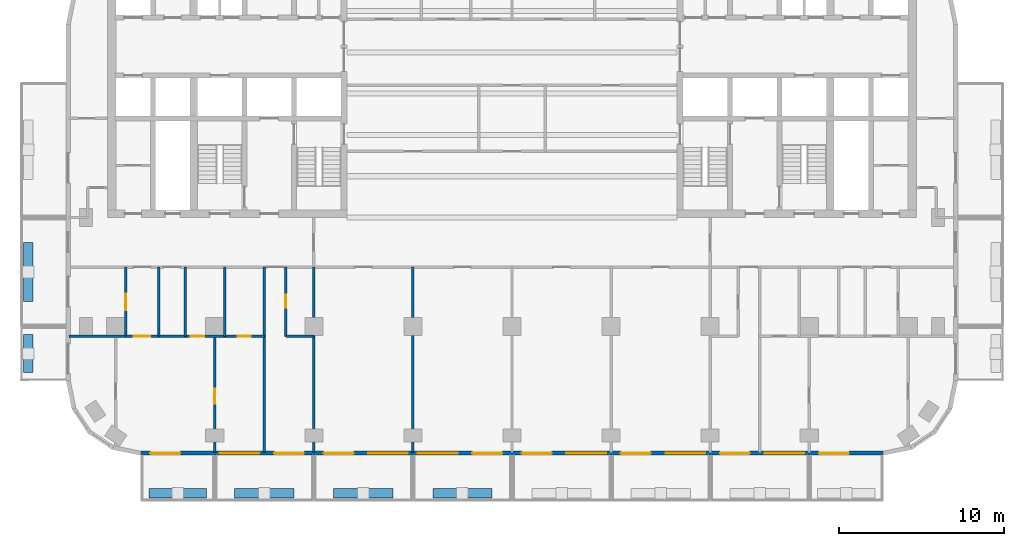
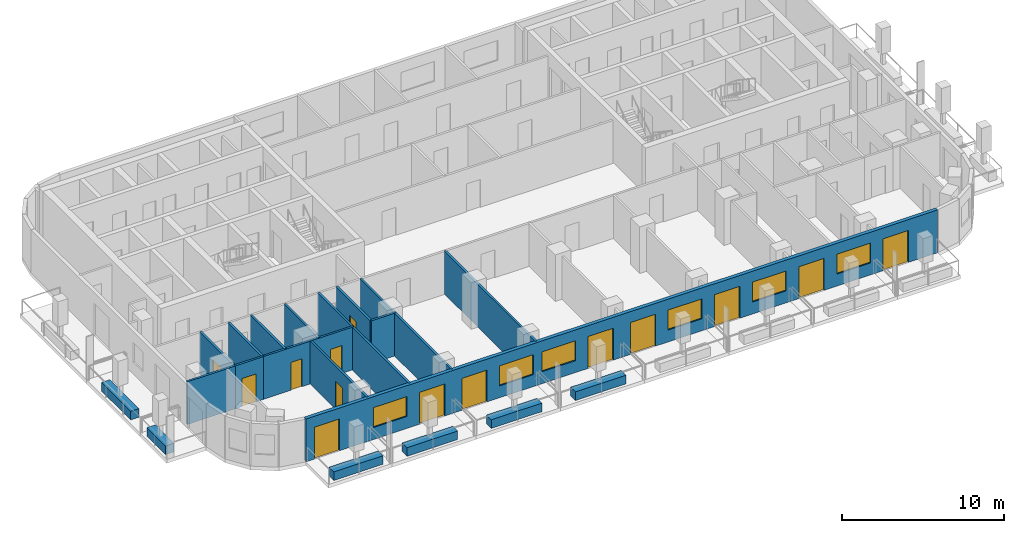
# One storey, part 2 of 12: 20 walls, 14 doors, 6 windows, 20 openings.
"""IFC4 building model written with IfcOpenShell, lengths in metres."""

from ifc_helpers import new_model, si_unit, direction, frame, frame_2d, origin, place, context, subcontext, project, spatial, rectangle, extrude, material, layer, layer_set, type_object, element, fill, save


model = new_model("IFC4")

# Units and contexts
model_context = context("Model", 3, precision=1e-05, world=origin(), true_north=direction((0.0, 1.0)))
body_context = subcontext(model_context, "Body", "Model", "MODEL_VIEW")
ifc_project = project(units=[si_unit("LENGTHUNIT", "METRE"), si_unit("AREAUNIT", "SQUARE_METRE"), si_unit("VOLUMEUNIT", "CUBIC_METRE"), si_unit("PLANEANGLEUNIT", "RADIAN"), si_unit("MASSUNIT", "GRAM", prefix="KILO")], contexts=[model_context])

# Site, building, storey
site_placement = place(None, origin())
site = spatial("IfcSite", under=ifc_project, at=site_placement, CompositionType="ELEMENT")
building_placement = place(site_placement, origin())
building = spatial("IfcBuilding", under=site, at=building_placement, Name="Torana Hotel and Residences", CompositionType="ELEMENT")
storey_placement = place(building_placement, frame((0.0, 0.0, 197.60009765625)))
storey = spatial("IfcBuildingStorey", under=building, at=storey_placement, Name="L51", CompositionType="ELEMENT", Elevation=197.60009765625)

# Wall, openings, doors, windows
ifc_material_1 = material(Name="Black aluminium composite panel", Category="aluminium")
ifc_layer_1 = layer(ifc_material_1, 0.00390625, Name="Cladding", Category="cladding")
ifc_material_2 = material(Name="Ventilated air cavity")
ifc_layer_2 = layer(ifc_material_2, 0.0400390625, Name="Ventilated cavity", Category="cavity")
ifc_material_3 = material(Name="Mineral wool insulation")
ifc_layer_3 = layer(ifc_material_3, 0.090087890625, Name="Insulation", Category="insulation")
ifc_material_4 = material(Name="Steel S280GD", Category="steel")
ifc_layer_4 = layer(ifc_material_4, 0.092041015625, Name="Steel stud frame", Category="structure")
ifc_material_5 = material(Name="Fire rated plasterboard")
ifc_layer_5 = layer(ifc_material_5, 0.011962890625, Name="Inner board", Category="finish")
ifc_layer_6 = layer(ifc_material_5, 0.011962890625, Name="Second board", Category="finish")
ifc_layer_set_1 = layer_set([ifc_layer_1, ifc_layer_2, ifc_layer_3, ifc_layer_4, ifc_layer_5, ifc_layer_6], Name="EW1 EXTERNAL WALL BLACK METAL CLAD 250")
wall_type_1 = type_object("IfcWallType", Name="EW1 EXTERNAL WALL BLACK METAL CLAD 250", PredefinedType="SOLIDWALL", material=ifc_layer_set_1)
wall_1_placement = place(storey_placement, frame((-22.475341796875, -29.27490234375, 0.0), z_axis=(0.0, 0.0, 1.0), x_axis=(1.0, 0.0, 0.0)))
wall_1 = element("IfcWall", 1, at=wall_1_placement, inside=storey, type_object=wall_type_1, Name="External wall L51 e0.14", PredefinedType="SOLIDWALL", context=body_context, shape_type="SweptSolid", body=[
    extrude(rectangle(XDim=44.95068359375, YDim=0.25, at=frame_2d((22.475341796875, 0.0))), origin(), (0.0, 0.0, 1.0), 3.219970703125),
])
opening_1_placement = place(wall_1_placement, frame((0.575439453125, 0.0, 0.0)))
opening_1 = element("IfcOpeningElement", 2, at=opening_1_placement, cuts=wall_1, Name="Opening L51-E01", PredefinedType="OPENING", context=body_context, shape_type="SweptSolid", body=[
    extrude(rectangle(XDim=1.800048828125, YDim=2.39990234375, at=frame_2d((0.89990234375, 1.199951171875))), frame((0.0, 0.135009765625, 0.0), z_axis=(0.0, -1.0, 0.0), x_axis=(1.0, 0.0, 0.0)), (0.0, 0.0, 1.0), 0.27001953125),
])
opening_2_placement = place(wall_1_placement, frame((4.775390625, 0.0, 0.89990234375)))
opening_2 = element("IfcOpeningElement", 3, at=opening_2_placement, cuts=wall_1, Name="Opening W3", PredefinedType="OPENING", context=body_context, shape_type="SweptSolid", body=[
    extrude(rectangle(XDim=2.39990234375, YDim=1.5, at=frame_2d((1.199951171875, 0.75))), frame((0.0, 0.135009765625, 0.0), z_axis=(0.0, -1.0, 0.0), x_axis=(1.0, 0.0, 0.0)), (0.0, 0.0, 1.0), 0.27001953125),
])
opening_3_placement = place(wall_1_placement, frame((8.075439453125, 0.0, 0.0)))
opening_3 = element("IfcOpeningElement", 4, at=opening_3_placement, cuts=wall_1, Name="Opening L51-E02", PredefinedType="OPENING", context=body_context, shape_type="SweptSolid", body=[
    extrude(rectangle(XDim=1.800048828125, YDim=2.39990234375, at=frame_2d((0.89990234375, 1.199951171875))), frame((0.0, 0.135009765625, 0.0), z_axis=(0.0, -1.0, 0.0), x_axis=(1.0, 0.0, 0.0)), (0.0, 0.0, 1.0), 0.27001953125),
])
opening_4_placement = place(wall_1_placement, frame((11.075439453125, 0.0, 0.0)))
opening_4 = element("IfcOpeningElement", 5, at=opening_4_placement, cuts=wall_1, Name="Opening L51-E03", PredefinedType="OPENING", context=body_context, shape_type="SweptSolid", body=[
    extrude(rectangle(XDim=1.800048828125, YDim=2.39990234375, at=frame_2d((0.89990234375, 1.199951171875))), frame((0.0, 0.135009765625, 0.0), z_axis=(0.0, -1.0, 0.0), x_axis=(1.0, 0.0, 0.0)), (0.0, 0.0, 1.0), 0.27001953125),
])
opening_5_placement = place(wall_1_placement, frame((13.775390625, 0.0, 0.89990234375)))
opening_5 = element("IfcOpeningElement", 6, at=opening_5_placement, cuts=wall_1, Name="Opening W3", PredefinedType="OPENING", context=body_context, shape_type="SweptSolid", body=[
    extrude(rectangle(XDim=2.39990234375, YDim=1.5, at=frame_2d((1.199951171875, 0.75))), frame((0.0, 0.135009765625, 0.0), z_axis=(0.0, -1.0, 0.0), x_axis=(1.0, 0.0, 0.0)), (0.0, 0.0, 1.0), 0.27001953125),
])
opening_6_placement = place(wall_1_placement, frame((16.775390625, 0.0, 0.89990234375)))
opening_6 = element("IfcOpeningElement", 7, at=opening_6_placement, cuts=wall_1, Name="Opening W3", PredefinedType="OPENING", context=body_context, shape_type="SweptSolid", body=[
    extrude(rectangle(XDim=2.39990234375, YDim=1.5, at=frame_2d((1.199951171875, 0.75))), frame((0.0, 0.135009765625, 0.0), z_axis=(0.0, -1.0, 0.0), x_axis=(1.0, 0.0, 0.0)), (0.0, 0.0, 1.0), 0.27001953125),
])
opening_7_placement = place(wall_1_placement, frame((20.075439453125, 0.0, 0.0)))
opening_7 = element("IfcOpeningElement", 8, at=opening_7_placement, cuts=wall_1, Name="Opening L51-E04", PredefinedType="OPENING", context=body_context, shape_type="SweptSolid", body=[
    extrude(rectangle(XDim=1.800048828125, YDim=2.39990234375, at=frame_2d((0.89990234375, 1.199951171875))), frame((0.0, 0.135009765625, 0.0), z_axis=(0.0, -1.0, 0.0), x_axis=(1.0, 0.0, 0.0)), (0.0, 0.0, 1.0), 0.27001953125),
])
opening_8_placement = place(wall_1_placement, frame((23.075439453125, 0.0, 0.0)))
opening_8 = element("IfcOpeningElement", 9, at=opening_8_placement, cuts=wall_1, Name="Opening L51-E05", PredefinedType="OPENING", context=body_context, shape_type="SweptSolid", body=[
    extrude(rectangle(XDim=1.800048828125, YDim=2.39990234375, at=frame_2d((0.89990234375, 1.199951171875))), frame((0.0, 0.135009765625, 0.0), z_axis=(0.0, -1.0, 0.0), x_axis=(1.0, 0.0, 0.0)), (0.0, 0.0, 1.0), 0.27001953125),
])
opening_9_placement = place(wall_1_placement, frame((25.775390625, 0.0, 0.89990234375)))
opening_9 = element("IfcOpeningElement", 10, at=opening_9_placement, cuts=wall_1, Name="Opening W3", PredefinedType="OPENING", context=body_context, shape_type="SweptSolid", body=[
    extrude(rectangle(XDim=2.39990234375, YDim=1.5, at=frame_2d((1.199951171875, 0.75))), frame((0.0, 0.135009765625, 0.0), z_axis=(0.0, -1.0, 0.0), x_axis=(1.0, 0.0, 0.0)), (0.0, 0.0, 1.0), 0.27001953125),
])
opening_10_placement = place(wall_1_placement, frame((29.075439453125, 0.0, 0.0)))
opening_10 = element("IfcOpeningElement", 11, at=opening_10_placement, cuts=wall_1, Name="Opening L51-E06", PredefinedType="OPENING", context=body_context, shape_type="SweptSolid", body=[
    extrude(rectangle(XDim=1.800048828125, YDim=2.39990234375, at=frame_2d((0.89990234375, 1.199951171875))), frame((0.0, 0.135009765625, 0.0), z_axis=(0.0, -1.0, 0.0), x_axis=(1.0, 0.0, 0.0)), (0.0, 0.0, 1.0), 0.27001953125),
])
opening_11_placement = place(wall_1_placement, frame((31.775390625, 0.0, 0.89990234375)))
opening_11 = element("IfcOpeningElement", 12, at=opening_11_placement, cuts=wall_1, Name="Opening W3", PredefinedType="OPENING", context=body_context, shape_type="SweptSolid", body=[
    extrude(rectangle(XDim=2.39990234375, YDim=1.5, at=frame_2d((1.199951171875, 0.75))), frame((0.0, 0.135009765625, 0.0), z_axis=(0.0, -1.0, 0.0), x_axis=(1.0, 0.0, 0.0)), (0.0, 0.0, 1.0), 0.27001953125),
])
opening_12_placement = place(wall_1_placement, frame((35.075439453125, 0.0, 0.0)))
opening_12 = element("IfcOpeningElement", 13, at=opening_12_placement, cuts=wall_1, Name="Opening L51-E07", PredefinedType="OPENING", context=body_context, shape_type="SweptSolid", body=[
    extrude(rectangle(XDim=1.800048828125, YDim=2.39990234375, at=frame_2d((0.89990234375, 1.199951171875))), frame((0.0, 0.135009765625, 0.0), z_axis=(0.0, -1.0, 0.0), x_axis=(1.0, 0.0, 0.0)), (0.0, 0.0, 1.0), 0.27001953125),
])
opening_13_placement = place(wall_1_placement, frame((37.775390625, 0.0, 0.89990234375)))
opening_13 = element("IfcOpeningElement", 14, at=opening_13_placement, cuts=wall_1, Name="Opening W3", PredefinedType="OPENING", context=body_context, shape_type="SweptSolid", body=[
    extrude(rectangle(XDim=2.39990234375, YDim=1.5, at=frame_2d((1.199951171875, 0.75))), frame((0.0, 0.135009765625, 0.0), z_axis=(0.0, -1.0, 0.0), x_axis=(1.0, 0.0, 0.0)), (0.0, 0.0, 1.0), 0.27001953125),
])
opening_14_placement = place(wall_1_placement, frame((41.075439453125, 0.0, 0.0)))
opening_14 = element("IfcOpeningElement", 15, at=opening_14_placement, cuts=wall_1, Name="Opening L51-E08", PredefinedType="OPENING", context=body_context, shape_type="SweptSolid", body=[
    extrude(rectangle(XDim=1.800048828125, YDim=2.39990234375, at=frame_2d((0.89990234375, 1.199951171875))), frame((0.0, 0.135009765625, 0.0), z_axis=(0.0, -1.0, 0.0), x_axis=(1.0, 0.0, 0.0)), (0.0, 0.0, 1.0), 0.27001953125),
])
ifc_material_6 = material(Name="Dark glass in black aluminium frame", Category="aluminium")
door_type_1 = type_object("IfcDoorType", Name="DB1 BALCONY DOOR 1800x2400", OperationType="DOUBLE_DOOR_SINGLE_SWING", PredefinedType="DOOR", material=ifc_material_6)
door_1_placement = place(opening_1_placement, origin())
door_1 = element("IfcDoor", 16, at=door_1_placement, inside=storey, type_object=door_type_1, Name="Balcony door L51", OperationType="DOUBLE_DOOR_SINGLE_SWING", OverallHeight=2.39990234375, OverallWidth=1.800048828125, PredefinedType="DOOR", context=body_context, shape_type="SweptSolid", body=[
    extrude(rectangle(XDim=1.800048828125, YDim=2.39990234375, at=frame_2d((0.89990234375, 1.199951171875))), frame((0.0, 0.02490234375, 0.0), z_axis=(0.0, -1.0, 0.0), x_axis=(1.0, 0.0, 0.0)), (0.0, 0.0, 1.0), 0.050048828125),
])
fill(opening_1, door_1)
door_2_placement = place(opening_3_placement, origin())
door_2 = element("IfcDoor", 17, at=door_2_placement, inside=storey, type_object=door_type_1, Name="Balcony door L51", OperationType="DOUBLE_DOOR_SINGLE_SWING", OverallHeight=2.39990234375, OverallWidth=1.800048828125, PredefinedType="DOOR", context=body_context, shape_type="SweptSolid", body=[
    extrude(rectangle(XDim=1.800048828125, YDim=2.39990234375, at=frame_2d((0.89990234375, 1.199951171875))), frame((0.0, 0.02490234375, 0.0), z_axis=(0.0, -1.0, 0.0), x_axis=(1.0, 0.0, 0.0)), (0.0, 0.0, 1.0), 0.050048828125),
])
fill(opening_3, door_2)
door_3_placement = place(opening_4_placement, origin())
door_3 = element("IfcDoor", 18, at=door_3_placement, inside=storey, type_object=door_type_1, Name="Balcony door L51", OperationType="DOUBLE_DOOR_SINGLE_SWING", OverallHeight=2.39990234375, OverallWidth=1.800048828125, PredefinedType="DOOR", context=body_context, shape_type="SweptSolid", body=[
    extrude(rectangle(XDim=1.800048828125, YDim=2.39990234375, at=frame_2d((0.89990234375, 1.199951171875))), frame((0.0, 0.02490234375, 0.0), z_axis=(0.0, -1.0, 0.0), x_axis=(1.0, 0.0, 0.0)), (0.0, 0.0, 1.0), 0.050048828125),
])
fill(opening_4, door_3)
door_4_placement = place(opening_7_placement, origin())
door_4 = element("IfcDoor", 19, at=door_4_placement, inside=storey, type_object=door_type_1, Name="Balcony door L51", OperationType="DOUBLE_DOOR_SINGLE_SWING", OverallHeight=2.39990234375, OverallWidth=1.800048828125, PredefinedType="DOOR", context=body_context, shape_type="SweptSolid", body=[
    extrude(rectangle(XDim=1.800048828125, YDim=2.39990234375, at=frame_2d((0.89990234375, 1.199951171875))), frame((0.0, 0.02490234375, 0.0), z_axis=(0.0, -1.0, 0.0), x_axis=(1.0, 0.0, 0.0)), (0.0, 0.0, 1.0), 0.050048828125),
])
fill(opening_7, door_4)
door_5_placement = place(opening_8_placement, origin())
door_5 = element("IfcDoor", 20, at=door_5_placement, inside=storey, type_object=door_type_1, Name="Balcony door L51", OperationType="DOUBLE_DOOR_SINGLE_SWING", OverallHeight=2.39990234375, OverallWidth=1.800048828125, PredefinedType="DOOR", context=body_context, shape_type="SweptSolid", body=[
    extrude(rectangle(XDim=1.800048828125, YDim=2.39990234375, at=frame_2d((0.89990234375, 1.199951171875))), frame((0.0, 0.02490234375, 0.0), z_axis=(0.0, -1.0, 0.0), x_axis=(1.0, 0.0, 0.0)), (0.0, 0.0, 1.0), 0.050048828125),
])
fill(opening_8, door_5)
door_6_placement = place(opening_10_placement, origin())
door_6 = element("IfcDoor", 21, at=door_6_placement, inside=storey, type_object=door_type_1, Name="Balcony door L51", OperationType="DOUBLE_DOOR_SINGLE_SWING", OverallHeight=2.39990234375, OverallWidth=1.800048828125, PredefinedType="DOOR", context=body_context, shape_type="SweptSolid", body=[
    extrude(rectangle(XDim=1.800048828125, YDim=2.39990234375, at=frame_2d((0.89990234375, 1.199951171875))), frame((0.0, 0.02490234375, 0.0), z_axis=(0.0, -1.0, 0.0), x_axis=(1.0, 0.0, 0.0)), (0.0, 0.0, 1.0), 0.050048828125),
])
fill(opening_10, door_6)
door_7_placement = place(opening_12_placement, origin())
door_7 = element("IfcDoor", 22, at=door_7_placement, inside=storey, type_object=door_type_1, Name="Balcony door L51", OperationType="DOUBLE_DOOR_SINGLE_SWING", OverallHeight=2.39990234375, OverallWidth=1.800048828125, PredefinedType="DOOR", context=body_context, shape_type="SweptSolid", body=[
    extrude(rectangle(XDim=1.800048828125, YDim=2.39990234375, at=frame_2d((0.89990234375, 1.199951171875))), frame((0.0, 0.02490234375, 0.0), z_axis=(0.0, -1.0, 0.0), x_axis=(1.0, 0.0, 0.0)), (0.0, 0.0, 1.0), 0.050048828125),
])
fill(opening_12, door_7)
door_8_placement = place(opening_14_placement, origin())
door_8 = element("IfcDoor", 23, at=door_8_placement, inside=storey, type_object=door_type_1, Name="Balcony door L51", OperationType="DOUBLE_DOOR_SINGLE_SWING", OverallHeight=2.39990234375, OverallWidth=1.800048828125, PredefinedType="DOOR", context=body_context, shape_type="SweptSolid", body=[
    extrude(rectangle(XDim=1.800048828125, YDim=2.39990234375, at=frame_2d((0.89990234375, 1.199951171875))), frame((0.0, 0.02490234375, 0.0), z_axis=(0.0, -1.0, 0.0), x_axis=(1.0, 0.0, 0.0)), (0.0, 0.0, 1.0), 0.050048828125),
])
fill(opening_14, door_8)
ifc_material_7 = material(Name="Dark glass in black aluminium frame", Category="aluminium")
window_type = type_object("IfcWindowType", Name="W3 RESIDENCE WINDOW 2400x1500", PartitioningType="SINGLE_PANEL", PredefinedType="WINDOW", material=ifc_material_7)
window_1_placement = place(opening_2_placement, origin())
window_1 = element("IfcWindow", 24, at=window_1_placement, inside=storey, type_object=window_type, Name="Window L51", OverallHeight=1.5, OverallWidth=2.39990234375, PartitioningType="SINGLE_PANEL", PredefinedType="WINDOW", context=body_context, shape_type="SweptSolid", body=[
    extrude(rectangle(XDim=2.39990234375, YDim=1.5, at=frame_2d((1.199951171875, 0.75))), frame((0.0, 0.030029296875, 0.0), z_axis=(0.0, -1.0, 0.0), x_axis=(1.0, 0.0, 0.0)), (0.0, 0.0, 1.0), 0.06005859375),
])
fill(opening_2, window_1)
window_2_placement = place(opening_5_placement, origin())
window_2 = element("IfcWindow", 25, at=window_2_placement, inside=storey, type_object=window_type, Name="Window L51", OverallHeight=1.5, OverallWidth=2.39990234375, PartitioningType="SINGLE_PANEL", PredefinedType="WINDOW", context=body_context, shape_type="SweptSolid", body=[
    extrude(rectangle(XDim=2.39990234375, YDim=1.5, at=frame_2d((1.199951171875, 0.75))), frame((0.0, 0.030029296875, 0.0), z_axis=(0.0, -1.0, 0.0), x_axis=(1.0, 0.0, 0.0)), (0.0, 0.0, 1.0), 0.06005859375),
])
fill(opening_5, window_2)
window_3_placement = place(opening_6_placement, origin())
window_3 = element("IfcWindow", 26, at=window_3_placement, inside=storey, type_object=window_type, Name="Window L51", OverallHeight=1.5, OverallWidth=2.39990234375, PartitioningType="SINGLE_PANEL", PredefinedType="WINDOW", context=body_context, shape_type="SweptSolid", body=[
    extrude(rectangle(XDim=2.39990234375, YDim=1.5, at=frame_2d((1.199951171875, 0.75))), frame((0.0, 0.030029296875, 0.0), z_axis=(0.0, -1.0, 0.0), x_axis=(1.0, 0.0, 0.0)), (0.0, 0.0, 1.0), 0.06005859375),
])
fill(opening_6, window_3)
window_4_placement = place(opening_9_placement, origin())
window_4 = element("IfcWindow", 27, at=window_4_placement, inside=storey, type_object=window_type, Name="Window L51", OverallHeight=1.5, OverallWidth=2.39990234375, PartitioningType="SINGLE_PANEL", PredefinedType="WINDOW", context=body_context, shape_type="SweptSolid", body=[
    extrude(rectangle(XDim=2.39990234375, YDim=1.5, at=frame_2d((1.199951171875, 0.75))), frame((0.0, 0.030029296875, 0.0), z_axis=(0.0, -1.0, 0.0), x_axis=(1.0, 0.0, 0.0)), (0.0, 0.0, 1.0), 0.06005859375),
])
fill(opening_9, window_4)
window_5_placement = place(opening_11_placement, origin())
window_5 = element("IfcWindow", 28, at=window_5_placement, inside=storey, type_object=window_type, Name="Window L51", OverallHeight=1.5, OverallWidth=2.39990234375, PartitioningType="SINGLE_PANEL", PredefinedType="WINDOW", context=body_context, shape_type="SweptSolid", body=[
    extrude(rectangle(XDim=2.39990234375, YDim=1.5, at=frame_2d((1.199951171875, 0.75))), frame((0.0, 0.030029296875, 0.0), z_axis=(0.0, -1.0, 0.0), x_axis=(1.0, 0.0, 0.0)), (0.0, 0.0, 1.0), 0.06005859375),
])
fill(opening_11, window_5)
window_6_placement = place(opening_13_placement, origin())
window_6 = element("IfcWindow", 29, at=window_6_placement, inside=storey, type_object=window_type, Name="Window L51", OverallHeight=1.5, OverallWidth=2.39990234375, PartitioningType="SINGLE_PANEL", PredefinedType="WINDOW", context=body_context, shape_type="SweptSolid", body=[
    extrude(rectangle(XDim=2.39990234375, YDim=1.5, at=frame_2d((1.199951171875, 0.75))), frame((0.0, 0.030029296875, 0.0), z_axis=(0.0, -1.0, 0.0), x_axis=(1.0, 0.0, 0.0)), (0.0, 0.0, 1.0), 0.06005859375),
])
fill(opening_13, window_6)

# Wall
ifc_material_8 = material(Name="Gypsum plaster")
ifc_layer_7 = layer(ifc_material_8, 0.014892578125, Name="Plaster", Category="finish")
ifc_material_9 = material(Name="Concrete blockwork", Category="masonry")
ifc_layer_8 = layer(ifc_material_9, 0.1201171875, Name="Blockwork", Category="structure")
ifc_layer_9 = layer(ifc_material_8, 0.014892578125, Name="Plaster", Category="finish")
ifc_layer_set_2 = layer_set([ifc_layer_7, ifc_layer_8, ifc_layer_9], Name="FIRE PARTITION 150 BLOCKWORK")
wall_type_2 = type_object("IfcWallType", Name="FIRE PARTITION 150 BLOCKWORK", PredefinedType="PARTITIONING", material=ifc_layer_set_2)
wall_2_placement = place(storey_placement, frame((-21.39990234375, -22.199951171875, 0.0), z_axis=(0.0, 0.0, 1.0), x_axis=(0.0, 1.0, 0.0)))
element("IfcWall", 30, at=wall_2_placement, inside=storey, type_object=wall_type_2, Name="Partition L51", PredefinedType="PARTITIONING", context=body_context, shape_type="SweptSolid", body=[
    extrude(rectangle(XDim=4.199951171875, YDim=0.14990234375, at=frame_2d((2.10009765625, 0.0))), origin(), (0.0, 0.0, 1.0), 3.219970703125),
])

# Wall, opening, door
wall_3_placement = place(storey_placement, frame((-23.39990234375, -22.199951171875, 0.0), z_axis=(0.0, 0.0, 1.0), x_axis=(0.0, 1.0, 0.0)))
wall_3 = element("IfcWall", 31, at=wall_3_placement, inside=storey, type_object=wall_type_2, Name="Partition L51", PredefinedType="PARTITIONING", context=body_context, shape_type="SweptSolid", body=[
    extrude(rectangle(XDim=4.199951171875, YDim=0.14990234375, at=frame_2d((2.10009765625, 0.0))), origin(), (0.0, 0.0, 1.0), 3.219970703125),
])
opening_15_placement = place(wall_3_placement, frame((1.580078125, 0.0, 0.0)))
opening_15 = element("IfcOpeningElement", 32, at=opening_15_placement, cuts=wall_3, Name="Opening L51-60", PredefinedType="OPENING", context=body_context, shape_type="SweptSolid", body=[
    extrude(rectangle(XDim=1.0, YDim=2.10009765625, at=frame_2d((0.5, 1.050048828125))), frame((0.0, 0.0849609375, 0.0), z_axis=(0.0, -1.0, 0.0), x_axis=(1.0, 0.0, 0.0)), (0.0, 0.0, 1.0), 0.169921875),
])
ifc_material_10 = material(Name="Steel S235", Category="steel")
door_type_2 = type_object("IfcDoorType", Name="ENTRY FIRE DOOR D6 1000x2100", OperationType="SINGLE_SWING_LEFT", PredefinedType="DOOR", material=ifc_material_10)
door_9_placement = place(opening_15_placement, origin())
door_9 = element("IfcDoor", 33, at=door_9_placement, inside=storey, type_object=door_type_2, Name="Door L51", OperationType="SINGLE_SWING_RIGHT", OverallHeight=2.10009765625, OverallWidth=1.0, PredefinedType="DOOR", context=body_context, shape_type="SweptSolid", body=[
    extrude(rectangle(XDim=1.0, YDim=2.10009765625, at=frame_2d((0.5, 1.050048828125))), frame((0.0, 0.02490234375, 0.0), z_axis=(0.0, -1.0, 0.0), x_axis=(1.0, 0.0, 0.0)), (0.0, 0.0, 1.0), 0.050048828125),
])
fill(opening_15, door_9)

wall_4_placement = place(storey_placement, frame((-23.39990234375, -22.199951171875, 0.0), z_axis=(0.0, 0.0, 1.0), x_axis=(1.0, 0.0, 0.0)))
wall_4 = element("IfcWall", 34, at=wall_4_placement, inside=storey, type_object=wall_type_2, Name="Partition L51", PredefinedType="PARTITIONING", context=body_context, shape_type="SweptSolid", body=[
    extrude(rectangle(XDim=2.0, YDim=0.14990234375, at=frame_2d((1.0, 0.0))), origin(), (0.0, 0.0, 1.0), 3.219970703125),
])
opening_16_placement = place(wall_4_placement, frame((0.47998046875, 0.0, 0.0)))
opening_16 = element("IfcOpeningElement", 35, at=opening_16_placement, cuts=wall_4, Name="Opening L51-61", PredefinedType="OPENING", context=body_context, shape_type="SweptSolid", body=[
    extrude(rectangle(XDim=1.0, YDim=2.10009765625, at=frame_2d((0.5, 1.050048828125))), frame((0.0, 0.0849609375, 0.0), z_axis=(0.0, -1.0, 0.0), x_axis=(1.0, 0.0, 0.0)), (0.0, 0.0, 1.0), 0.169921875),
])
door_10_placement = place(opening_16_placement, frame((0.5, 0.0, 0.0), z_axis=(0.0, 0.0, 1.0), x_axis=(-1.0, 0.0, 0.0)))
door_10 = element("IfcDoor", 36, at=door_10_placement, inside=storey, type_object=door_type_2, Name="Door L51", OperationType="SINGLE_SWING_LEFT", OverallHeight=2.10009765625, OverallWidth=1.0, PredefinedType="DOOR", context=body_context, shape_type="SweptSolid", body=[
    extrude(rectangle(XDim=1.0, YDim=2.10009765625, at=frame_2d((0.0, 1.050048828125))), frame((0.0, -0.02490234375, 0.0), z_axis=(0.0, 1.0, 0.0), x_axis=(-1.0, 0.0, 0.0)), (0.0, 0.0, 1.0), 0.050048828125),
])
fill(opening_16, door_10)

# Walls
ifc_material_11 = material(Name="Gypsum plasterboard")
ifc_layer_10 = layer(ifc_material_11, 0.012451171875, Name="Plasterboard", Category="finish")
ifc_layer_11 = layer(ifc_material_11, 0.012451171875, Name="Plasterboard", Category="finish")
ifc_layer_12 = layer(ifc_material_4, 0.10009765625, Name="Steel studs with mineral wool", Category="insulation")
ifc_layer_13 = layer(ifc_material_11, 0.012451171875, Name="Plasterboard", Category="finish")
ifc_layer_14 = layer(ifc_material_11, 0.012451171875, Name="Plasterboard", Category="finish")
ifc_layer_set_3 = layer_set([ifc_layer_10, ifc_layer_11, ifc_layer_12, ifc_layer_13, ifc_layer_14], Name="PARTITION 150 PLASTERBOARD")
wall_type_3 = type_object("IfcWallType", Name="PARTITION 150 PLASTERBOARD", PredefinedType="PARTITIONING", material=ifc_layer_set_3)
for number, where, z_axis, x_axis, name in (
    (37, (-6.0, -29.219970703125, 0.0), (0.0, 0.0, 1.0), (0.0, 1.0, 0.0), "Partition L51"),
    (38, (-12.0, -29.219970703125, 0.0), (0.0, 0.0, 1.0), (0.0, 1.0, 0.0), "Partition L51"),
):
    element("IfcWall", number, at=place(storey_placement, frame(where, z_axis=z_axis, x_axis=x_axis)), inside=storey, type_object=wall_type_3, Name=name, PredefinedType="PARTITIONING", context=body_context, shape_type="SweptSolid", body=[
        extrude(rectangle(XDim=11.219970703125, YDim=0.14990234375, at=frame_2d((5.60986328125, 0.0))), origin(), (0.0, 0.0, 1.0), 3.219970703125),
    ])

# Wall, opening, door
wall_5_placement = place(storey_placement, frame((-13.699951171875, -22.199951171875, 0.0), z_axis=(0.0, 0.0, 1.0), x_axis=(0.0, 1.0, 0.0)))
wall_5 = element("IfcWall", 39, at=wall_5_placement, inside=storey, type_object=wall_type_3, Name="Partition L51", PredefinedType="PARTITIONING", context=body_context, shape_type="SweptSolid", body=[
    extrude(rectangle(XDim=4.199951171875, YDim=0.14990234375, at=frame_2d((2.10009765625, 0.0))), origin(), (0.0, 0.0, 1.0), 3.219970703125),
])
opening_17_placement = place(wall_5_placement, frame((1.719970703125, 0.0, 0.0)))
opening_17 = element("IfcOpeningElement", 40, at=opening_17_placement, cuts=wall_5, Name="Opening L51-56", PredefinedType="OPENING", context=body_context, shape_type="SweptSolid", body=[
    extrude(rectangle(XDim=0.800048828125, YDim=2.10009765625, at=frame_2d((0.39990234375, 1.050048828125))), frame((0.0, 0.0849609375, 0.0), z_axis=(0.0, -1.0, 0.0), x_axis=(1.0, 0.0, 0.0)), (0.0, 0.0, 1.0), 0.169921875),
])
ifc_material_12 = material(Name="Timber door, painted", Category="wood")
door_type_3 = type_object("IfcDoorType", Name="BATH DOOR D13 800x2100", OperationType="SINGLE_SWING_LEFT", PredefinedType="DOOR", material=ifc_material_12)
door_11_placement = place(opening_17_placement, origin())
door_11 = element("IfcDoor", 41, at=door_11_placement, inside=storey, type_object=door_type_3, Name="Door L51", OperationType="SINGLE_SWING_RIGHT", OverallHeight=2.10009765625, OverallWidth=0.800048828125, PredefinedType="DOOR", context=body_context, shape_type="SweptSolid", body=[
    extrude(rectangle(XDim=0.800048828125, YDim=2.10009765625, at=frame_2d((0.39990234375, 1.050048828125))), frame((0.0, 0.02490234375, 0.0), z_axis=(0.0, -1.0, 0.0), x_axis=(1.0, 0.0, 0.0)), (0.0, 0.0, 1.0), 0.050048828125),
])
fill(opening_17, door_11)

# Walls
wall_6_placement = place(storey_placement, frame((-15.0, -29.219970703125, 0.0), z_axis=(0.0, 0.0, 1.0), x_axis=(0.0, 1.0, 0.0)))
element("IfcWall", 42, at=wall_6_placement, inside=storey, type_object=wall_type_3, Name="Partition L51", PredefinedType="PARTITIONING", context=body_context, shape_type="SweptSolid", body=[
    extrude(rectangle(XDim=11.219970703125, YDim=0.14990234375, at=frame_2d((5.60986328125, 0.0))), origin(), (0.0, 0.0, 1.0), 3.219970703125),
])
wall_7_placement = place(storey_placement, frame((-17.39990234375, -22.199951171875, 0.0), z_axis=(0.0, 0.0, 1.0), x_axis=(0.0, 1.0, 0.0)))
element("IfcWall", 43, at=wall_7_placement, inside=storey, type_object=wall_type_3, Name="Partition L51", PredefinedType="PARTITIONING", context=body_context, shape_type="SweptSolid", body=[
    extrude(rectangle(XDim=4.199951171875, YDim=0.14990234375, at=frame_2d((2.10009765625, 0.0))), origin(), (0.0, 0.0, 1.0), 3.219970703125),
])

# Wall, opening, door
wall_8_placement = place(storey_placement, frame((-18.0, -29.219970703125, 0.0), z_axis=(0.0, 0.0, 1.0), x_axis=(0.0, 1.0, 0.0)))
wall_8 = element("IfcWall", 44, at=wall_8_placement, inside=storey, type_object=wall_type_3, Name="Partition L51", PredefinedType="PARTITIONING", context=body_context, shape_type="SweptSolid", body=[
    extrude(rectangle(XDim=7.02001953125, YDim=0.14990234375, at=frame_2d((3.510009765625, 0.0))), origin(), (0.0, 0.0, 1.0), 3.219970703125),
])
opening_18_placement = place(wall_8_placement, frame((2.949951171875, 0.0, 0.0)))
opening_18 = element("IfcOpeningElement", 45, at=opening_18_placement, cuts=wall_8, Name="Opening L51-62", PredefinedType="OPENING", context=body_context, shape_type="SweptSolid", body=[
    extrude(rectangle(XDim=0.89990234375, YDim=2.10009765625, at=frame_2d((0.449951171875, 1.050048828125))), frame((0.0, 0.0849609375, 0.0), z_axis=(0.0, -1.0, 0.0), x_axis=(1.0, 0.0, 0.0)), (0.0, 0.0, 1.0), 0.169921875),
])
ifc_material_13 = material(Name="Timber door, oiled ash", Category="wood")
door_type_4 = type_object("IfcDoorType", Name="ROOM DOOR D7 900x2100", OperationType="SINGLE_SWING_LEFT", PredefinedType="DOOR", material=ifc_material_13)
door_12_placement = place(opening_18_placement, origin())
door_12 = element("IfcDoor", 46, at=door_12_placement, inside=storey, type_object=door_type_4, Name="Door L51", OperationType="SINGLE_SWING_RIGHT", OverallHeight=2.10009765625, OverallWidth=0.89990234375, PredefinedType="DOOR", context=body_context, shape_type="SweptSolid", body=[
    extrude(rectangle(XDim=0.89990234375, YDim=2.10009765625, at=frame_2d((0.449951171875, 1.050048828125))), frame((0.0, 0.02490234375, 0.0), z_axis=(0.0, -1.0, 0.0), x_axis=(1.0, 0.0, 0.0)), (0.0, 0.0, 1.0), 0.050048828125),
])
fill(opening_18, door_12)

# Walls
wall_9_placement = place(storey_placement, frame((-19.800048828125, -22.199951171875, 0.0), z_axis=(0.0, 0.0, 1.0), x_axis=(0.0, 1.0, 0.0)))
element("IfcWall", 47, at=wall_9_placement, inside=storey, type_object=wall_type_3, Name="Partition L51", PredefinedType="PARTITIONING", context=body_context, shape_type="SweptSolid", body=[
    extrude(rectangle(XDim=4.199951171875, YDim=0.14990234375, at=frame_2d((2.10009765625, 0.0))), origin(), (0.0, 0.0, 1.0), 3.219970703125),
])
wall_10_placement = place(storey_placement, frame((-26.820068359375, -22.199951171875, 0.0), z_axis=(0.0, 0.0, 1.0), x_axis=(1.0, 0.0, 0.0)))
element("IfcWall", 48, at=wall_10_placement, inside=storey, type_object=wall_type_3, Name="Partition L51", PredefinedType="PARTITIONING", context=body_context, shape_type="SweptSolid", body=[
    extrude(rectangle(XDim=3.420166015625, YDim=0.14990234375, at=frame_2d((1.7099609375, 0.0))), origin(), (0.0, 0.0, 1.0), 3.219970703125),
])

# Wall, openings, doors
wall_11_placement = place(storey_placement, frame((-21.39990234375, -22.199951171875, 0.0), z_axis=(0.0, 0.0, 1.0), x_axis=(1.0, 0.0, 0.0)))
wall_11 = element("IfcWall", 49, at=wall_11_placement, inside=storey, type_object=wall_type_3, Name="Partition L51", PredefinedType="PARTITIONING", context=body_context, shape_type="SweptSolid", body=[
    extrude(rectangle(XDim=6.39990234375, YDim=0.14990234375, at=frame_2d((3.199951171875, 0.0))), origin(), (0.0, 0.0, 1.0), 3.219970703125),
])
opening_19_placement = place(wall_11_placement, frame((4.780029296875, 0.0, 0.0)))
opening_19 = element("IfcOpeningElement", 50, at=opening_19_placement, cuts=wall_11, Name="Opening L51-58", PredefinedType="OPENING", context=body_context, shape_type="SweptSolid", body=[
    extrude(rectangle(XDim=0.800048828125, YDim=2.10009765625, at=frame_2d((0.39990234375, 1.050048828125))), frame((0.0, 0.0849609375, 0.0), z_axis=(0.0, -1.0, 0.0), x_axis=(1.0, 0.0, 0.0)), (0.0, 0.0, 1.0), 0.169921875),
])
opening_20_placement = place(wall_11_placement, frame((1.949951171875, 0.0, 0.0)))
opening_20 = element("IfcOpeningElement", 51, at=opening_20_placement, cuts=wall_11, Name="Opening L51-59", PredefinedType="OPENING", context=body_context, shape_type="SweptSolid", body=[
    extrude(rectangle(XDim=0.800048828125, YDim=2.10009765625, at=frame_2d((0.39990234375, 1.050048828125))), frame((0.0, 0.0849609375, 0.0), z_axis=(0.0, -1.0, 0.0), x_axis=(1.0, 0.0, 0.0)), (0.0, 0.0, 1.0), 0.169921875),
])
door_13_placement = place(opening_19_placement, origin())
door_13 = element("IfcDoor", 52, at=door_13_placement, inside=storey, type_object=door_type_3, Name="Door L51", OperationType="SINGLE_SWING_RIGHT", OverallHeight=2.10009765625, OverallWidth=0.800048828125, PredefinedType="DOOR", context=body_context, shape_type="SweptSolid", body=[
    extrude(rectangle(XDim=0.800048828125, YDim=2.10009765625, at=frame_2d((0.39990234375, 1.050048828125))), frame((0.0, 0.02490234375, 0.0), z_axis=(0.0, -1.0, 0.0), x_axis=(1.0, 0.0, 0.0)), (0.0, 0.0, 1.0), 0.050048828125),
])
fill(opening_19, door_13)
door_14_placement = place(opening_20_placement, origin())
door_14 = element("IfcDoor", 53, at=door_14_placement, inside=storey, type_object=door_type_3, Name="Door L51", OperationType="SINGLE_SWING_LEFT", OverallHeight=2.10009765625, OverallWidth=0.800048828125, PredefinedType="DOOR", context=body_context, shape_type="SweptSolid", body=[
    extrude(rectangle(XDim=0.800048828125, YDim=2.10009765625, at=frame_2d((0.39990234375, 1.050048828125))), frame((0.0, 0.02490234375, 0.0), z_axis=(0.0, -1.0, 0.0), x_axis=(1.0, 0.0, 0.0)), (0.0, 0.0, 1.0), 0.050048828125),
])
fill(opening_20, door_14)

# Walls
wall_12_placement = place(storey_placement, frame((-13.699951171875, -22.199951171875, 0.0), z_axis=(0.0, 0.0, 1.0), x_axis=(1.0, 0.0, 0.0)))
element("IfcWall", 54, at=wall_12_placement, inside=storey, type_object=wall_type_3, Name="Partition L51", PredefinedType="PARTITIONING", context=body_context, shape_type="SweptSolid", body=[
    extrude(rectangle(XDim=1.699951171875, YDim=0.14990234375, at=frame_2d((0.85009765625, 0.0))), origin(), (0.0, 0.0, 1.0), 3.219970703125),
])
ifc_material_14 = material(Name="Concrete C40/50 precast", Category="concrete")
ifc_layer_15 = layer(ifc_material_14, 0.10009765625, Name="Planter shell", Category="structure")
ifc_material_15 = material(Name="Root resistant membrane")
ifc_layer_16 = layer(ifc_material_15, 0.00390625, Name="Waterproofing membrane", Category="membrane")
ifc_material_16 = material(Name="Drainage board with filter fleece")
ifc_layer_17 = layer(ifc_material_16, 0.02001953125, Name="Drainage board", Category="drainage")
ifc_material_17 = material(Name="Growing medium")
ifc_layer_18 = layer(ifc_material_17, 0.47607421875, Name="Planting substrate", Category="soil")
ifc_layer_set_4 = layer_set([ifc_layer_15, ifc_layer_16, ifc_layer_17, ifc_layer_18], Name="PL1 BALCONY PLANTER 600")
wall_type_4 = type_object("IfcWallType", Name="PL1 BALCONY PLANTER 600", PredefinedType="USERDEFINED", material=ifc_layer_set_4)
wall_13_placement = place(storey_placement, frame((-18.5, -31.699951171875, 0.0), z_axis=(0.0, 0.0, 1.0), x_axis=(-1.0, 0.0, 0.0)))
element("IfcWall", 55, at=wall_13_placement, inside=storey, type_object=wall_type_4, Name="Planter 01", ObjectType="PLANTER", PredefinedType="USERDEFINED", context=body_context, shape_type="SweptSolid", body=[
    extrude(rectangle(XDim=3.5, YDim=0.60009765625, at=frame_2d((1.75, 0.0))), origin(), (0.0, 0.0, 1.0), 0.64990234375),
])
for number, where, z_axis, x_axis, name in (
    (56, (-13.199951171875, -31.699951171875, 0.0), (0.0, 0.0, 1.0), (-1.0, 0.0, 0.0), "Planter 02"),
    (57, (-7.199951171875, -31.699951171875, 0.0), (0.0, 0.0, 1.0), (-1.0, 0.0, 0.0), "Planter 03"),
    (58, (-1.199951171875, -31.699951171875, 0.0), (0.0, 0.0, 1.0), (-1.0, 0.0, 0.0), "Planter 04"),
):
    element("IfcWall", number, at=place(storey_placement, frame(where, z_axis=z_axis, x_axis=x_axis)), inside=storey, type_object=wall_type_4, Name=name, ObjectType="PLANTER", PredefinedType="USERDEFINED", context=body_context, shape_type="SweptSolid", body=[
        extrude(rectangle(XDim=3.60009765625, YDim=0.60009765625, at=frame_2d((1.800048828125, 0.0))), origin(), (0.0, 0.0, 1.0), 0.64990234375),
    ])
wall_14_placement = place(storey_placement, frame((-29.300048828125, -24.39990234375, 0.0), z_axis=(0.0, 0.0, 1.0), x_axis=(0.0, 1.0, 0.0)))
element("IfcWall", 59, at=wall_14_placement, inside=storey, type_object=wall_type_4, Name="Planter 09", ObjectType="PLANTER", PredefinedType="USERDEFINED", context=body_context, shape_type="SweptSolid", body=[
    extrude(rectangle(XDim=2.2998046875, YDim=0.60009765625, at=frame_2d((1.14990234375, 0.0))), origin(), (0.0, 0.0, 1.0), 0.64990234375),
])
wall_15_placement = place(storey_placement, frame((-29.300048828125, -20.10009765625, 0.0), z_axis=(0.0, 0.0, 1.0), x_axis=(0.0, 1.0, 0.0)))
element("IfcWall", 60, at=wall_15_placement, inside=storey, type_object=wall_type_4, Name="Planter 10", ObjectType="PLANTER", PredefinedType="USERDEFINED", context=body_context, shape_type="SweptSolid", body=[
    extrude(rectangle(XDim=3.60009765625, YDim=0.60009765625, at=frame_2d((1.800048828125, 0.0))), origin(), (0.0, 0.0, 1.0), 0.64990234375),
])

save(model, "model.ifc")
